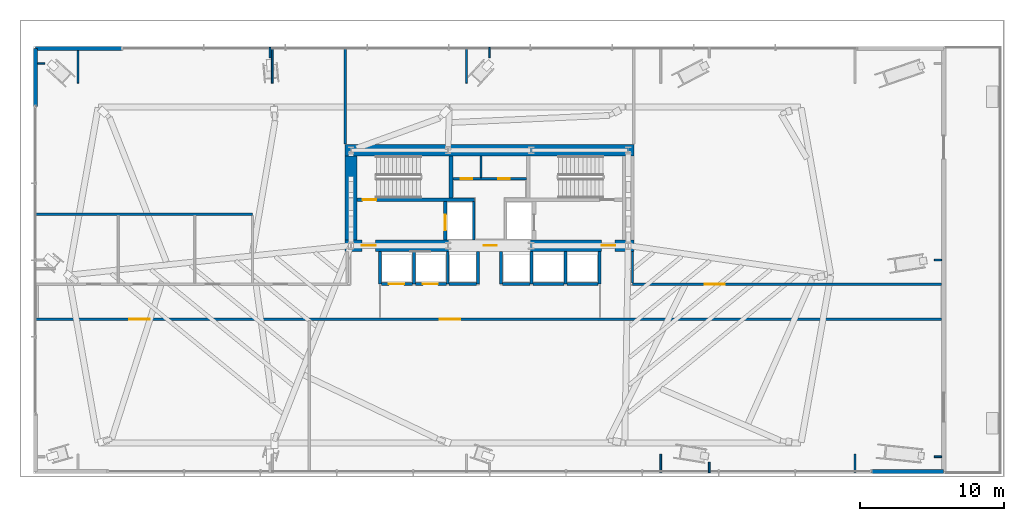
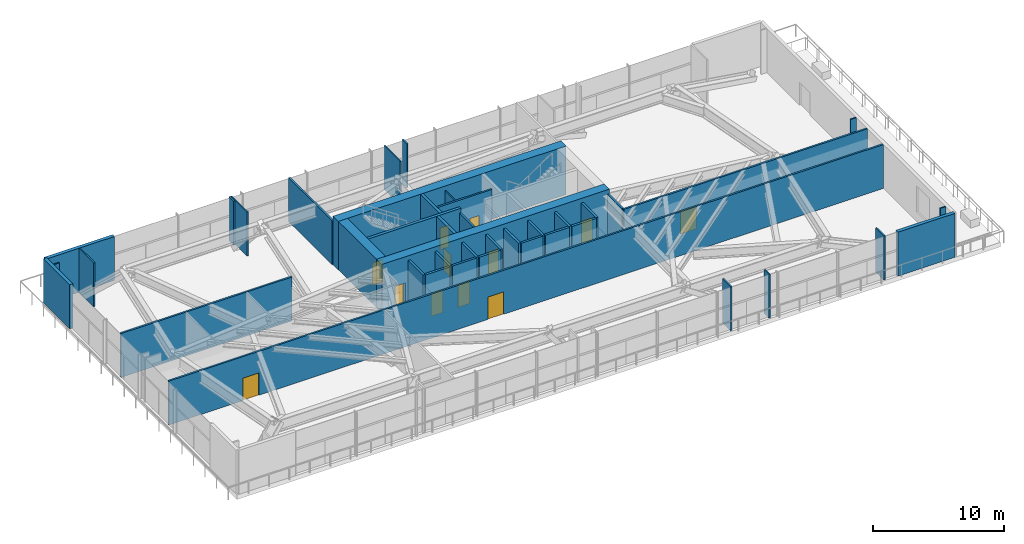
# One storey, part 21 of 29: 42 walls, 12 doors, 12 openings.
"""IFC4 building model written with IfcOpenShell, lengths in metres."""

from ifc_helpers import new_model, si_unit, direction, frame, frame_2d, origin, place, context, subcontext, project, spatial, rectangle, extrude, source, transform, mapped, material, layer, layer_set, type_object, type_shapes, element, fill, save


model = new_model("IFC4")

# Units and contexts
model_context = context("Model", 3, precision=1e-05, world=origin(), true_north=direction((0.0, 1.0)))
body_context = subcontext(model_context, "Body", "Model", "MODEL_VIEW")
ifc_project = project(units=[si_unit("LENGTHUNIT", "METRE"), si_unit("AREAUNIT", "SQUARE_METRE"), si_unit("VOLUMEUNIT", "CUBIC_METRE"), si_unit("PLANEANGLEUNIT", "RADIAN"), si_unit("MASSUNIT", "GRAM", prefix="KILO")], contexts=[model_context])

# Site, building, storey
site_placement = place(None, origin())
site = spatial("IfcSite", under=ifc_project, at=site_placement, CompositionType="ELEMENT")
building_placement = place(site_placement, origin())
building = spatial("IfcBuilding", under=site, at=building_placement, Name="Astriad Promenade Condominiums", CompositionType="ELEMENT")
storey_placement = place(building_placement, frame((0.0, 0.0, 18.5)))
storey = spatial("IfcBuildingStorey", under=building, at=storey_placement, Name="L04", CompositionType="ELEMENT", Elevation=18.5)

# Wall, openings, doors
ifc_material_1 = material(Name="Concrete C80/95", Category="concrete")
ifc_layer_1 = layer(ifc_material_1, 0.800048828125)
ifc_layer_set_1 = layer_set([ifc_layer_1], Name="Concrete C80/95")
wall_type_1 = type_object("IfcWallType", Name="CW-SHEAR-800", PredefinedType="SHEAR", material=ifc_layer_set_1)
wall_1_placement = place(storey_placement, frame((26.0, 17.39990234375, 0.0), z_axis=(0.0, 0.0, 1.0), x_axis=(1.0, 0.0, 0.0)))
wall_1 = element("IfcWall", 1, at=wall_1_placement, inside=storey, type_object=wall_type_1, Name="CW-CORE-S-L04", PredefinedType="SHEAR", context=body_context, shape_type="SweptSolid", body=[
    extrude(rectangle(XDim=20.0, YDim=0.800048828125, at=frame_2d((10.0, 0.0))), origin(), (0.0, 0.0, 1.0), 4.5),
])
opening_1_placement = place(wall_1_placement, frame((1.14990234375, 0.0, 0.0)))
opening_1 = element("IfcOpeningElement", 2, at=opening_1_placement, cuts=wall_1, Name="Opening FD90-ST-095", PredefinedType="OPENING", context=body_context, shape_type="SweptSolid", body=[
    extrude(rectangle(XDim=0.949951171875, YDim=2.06005859375, at=frame_2d((0.47509765625, 1.030029296875))), frame((0.0, 0.409912109375, 0.0), z_axis=(0.0, -1.0, 0.0), x_axis=(1.0, 0.0, 0.0)), (0.0, 0.0, 1.0), 0.820068359375),
])
opening_2_placement = place(wall_1_placement, frame((9.580078125, 0.0, 0.0)))
opening_2 = element("IfcOpeningElement", 3, at=opening_2_placement, cuts=wall_1, Name="Opening FD60-CSL-090", PredefinedType="OPENING", context=body_context, shape_type="SweptSolid", body=[
    extrude(rectangle(XDim=0.89990234375, YDim=2.06005859375, at=frame_2d((0.449951171875, 1.030029296875))), frame((0.0, 0.409912109375, 0.0), z_axis=(0.0, -1.0, 0.0), x_axis=(1.0, 0.0, 0.0)), (0.0, 0.0, 1.0), 0.820068359375),
])
opening_3_placement = place(wall_1_placement, frame((17.75, 0.0, 0.0)))
opening_3 = element("IfcOpeningElement", 4, at=opening_3_placement, cuts=wall_1, Name="Opening FD90-ST-095", PredefinedType="OPENING", context=body_context, shape_type="SweptSolid", body=[
    extrude(rectangle(XDim=0.949951171875, YDim=2.06005859375, at=frame_2d((0.47509765625, 1.030029296875))), frame((0.0, 0.409912109375, 0.0), z_axis=(0.0, -1.0, 0.0), x_axis=(1.0, 0.0, 0.0)), (0.0, 0.0, 1.0), 0.820068359375),
])
ifc_material_2 = material(Name="Fire-Rated Hollow Metal Stair Door")
door_type_1 = type_object("IfcDoorType", Name="FD90-ST-095", OperationType="NOTDEFINED", PredefinedType="DOOR", material=ifc_material_2)
shared_shape_1 = source(origin(), body_context, "Body", "SweptSolid", [
    extrude(rectangle(XDim=0.949951171875, YDim=2.06005859375, at=frame_2d((0.47509765625, 1.030029296875))), frame((0.0, 0.02490234375, 0.0), z_axis=(0.0, -1.0, 0.0), x_axis=(1.0, 0.0, 0.0)), (0.0, 0.0, 1.0), 0.050048828125),
])
type_shapes(door_type_1, [shared_shape_1])
door_1_placement = place(opening_1_placement, origin())
door_1 = element("IfcDoor", 5, at=door_1_placement, inside=storey, type_object=door_type_1, Name="D-FFW-L04", OperationType="SINGLE_SWING_LEFT", OverallHeight=2.06005859375, OverallWidth=0.949951171875, PredefinedType="DOOR", context=body_context, shape_type="MappedRepresentation", body=[
    mapped(shared_shape_1, transform((0.0, 0.0, 0.0), scale=1.0)),
])
fill(opening_1, door_1)
door_2_placement = place(opening_3_placement, origin())
door_2 = element("IfcDoor", 6, at=door_2_placement, inside=storey, type_object=door_type_1, Name="D-FFE-L04", OperationType="SINGLE_SWING_RIGHT", OverallHeight=2.06005859375, OverallWidth=0.949951171875, PredefinedType="DOOR", context=body_context, shape_type="MappedRepresentation", body=[
    mapped(shared_shape_1, transform((0.0, 0.0, 0.0), scale=1.0)),
])
fill(opening_3, door_2)
ifc_material_3 = material(Name="Fire-Rated Service Lobby Door")
door_type_2 = type_object("IfcDoorType", Name="FD60-CSL-090", OperationType="NOTDEFINED", PredefinedType="DOOR", material=ifc_material_3)
shared_shape_2 = source(origin(), body_context, "Body", "SweptSolid", [
    extrude(rectangle(XDim=0.89990234375, YDim=2.06005859375, at=frame_2d((0.449951171875, 1.030029296875))), frame((0.0, 0.02490234375, 0.0), z_axis=(0.0, -1.0, 0.0), x_axis=(1.0, 0.0, 0.0)), (0.0, 0.0, 1.0), 0.050048828125),
])
type_shapes(door_type_2, [shared_shape_2])
door_3_placement = place(opening_2_placement, origin())
door_3 = element("IfcDoor", 7, at=door_3_placement, inside=storey, type_object=door_type_2, Name="D-CSL-L04", OperationType="SINGLE_SWING_RIGHT", OverallHeight=2.06005859375, OverallWidth=0.89990234375, PredefinedType="DOOR", context=body_context, shape_type="MappedRepresentation", body=[
    mapped(shared_shape_2, transform((0.0, 0.0, 0.0), scale=1.0)),
])
fill(opening_2, door_3)

# Walls
wall_2_placement = place(storey_placement, frame((26.0, 24.0, 0.0), z_axis=(0.0, 0.0, 1.0), x_axis=(1.0, 0.0, 0.0)))
element("IfcWall", 8, at=wall_2_placement, inside=storey, type_object=wall_type_1, Name="CW-CORE-N-L04", PredefinedType="SHEAR", context=body_context, shape_type="SweptSolid", body=[
    extrude(rectangle(XDim=20.0, YDim=0.800048828125, at=frame_2d((10.0, 0.0))), origin(), (0.0, 0.0, 1.0), 4.5),
])
wall_3_placement = place(storey_placement, frame((26.39990234375, 17.802001953125, 0.0), z_axis=(0.0, 0.0, 1.0), x_axis=(0.0, 1.0, 0.0)))
element("IfcWall", 9, at=wall_3_placement, inside=storey, type_object=wall_type_1, Name="CW-CORE-W-L04", PredefinedType="SHEAR", context=body_context, shape_type="SweptSolid", body=[
    extrude(rectangle(XDim=5.7958984375, YDim=0.800048828125, at=frame_2d((2.89794921875, 0.0))), origin(), (0.0, 0.0, 1.0), 4.5),
])

# Wall, opening, door
ifc_material_4 = material(Name="Concrete C50/60", Category="concrete")
ifc_layer_2 = layer(ifc_material_4, 0.25)
ifc_layer_set_2 = layer_set([ifc_layer_2], Name="Concrete C50/60")
wall_type_2 = type_object("IfcWallType", Name="WALL-CORE-INT-250", PredefinedType="SOLIDWALL", material=ifc_layer_set_2)
wall_4_placement = place(storey_placement, frame((26.802001953125, 20.574951171875, 0.0), z_axis=(0.0, 0.0, 1.0), x_axis=(1.0, 0.0, 0.0)))
wall_4 = element("IfcWall", 10, at=wall_4_placement, inside=storey, type_object=wall_type_2, Name="CW-INT-H1-L04", PredefinedType="SOLIDWALL", context=body_context, shape_type="SweptSolid", body=[
    extrude(rectangle(XDim=8.14794921875, YDim=0.25, at=frame_2d((4.073974609375, 0.0))), origin(), (0.0, 0.0, 1.0), 4.5),
])
opening_4_placement = place(wall_4_placement, frame((0.39794921875, 0.0, 0.0)))
opening_4 = element("IfcOpeningElement", 11, at=opening_4_placement, cuts=wall_4, Name="Opening FD90-ST-095", PredefinedType="OPENING", context=body_context, shape_type="SweptSolid", body=[
    extrude(rectangle(XDim=0.949951171875, YDim=2.06005859375, at=frame_2d((0.47509765625, 1.030029296875))), frame((0.0, 0.135009765625, 0.0), z_axis=(0.0, -1.0, 0.0), x_axis=(1.0, 0.0, 0.0)), (0.0, 0.0, 1.0), 0.27001953125),
])
door_4_placement = place(opening_4_placement, origin())
door_4 = element("IfcDoor", 12, at=door_4_placement, inside=storey, type_object=door_type_1, Name="D-ST1-L04", OperationType="SINGLE_SWING_LEFT", OverallHeight=2.06005859375, OverallWidth=0.949951171875, PredefinedType="DOOR", context=body_context, shape_type="MappedRepresentation", body=[
    mapped(shared_shape_1, transform((0.0, 0.0, 0.0), scale=1.0)),
])
fill(opening_4, door_4)

# Wall
wall_5_placement = place(storey_placement, frame((33.324951171875, 20.701904296875, 0.0), z_axis=(0.0, 0.0, 1.0), x_axis=(0.0, 1.0, 0.0)))
element("IfcWall", 13, at=wall_5_placement, inside=storey, type_object=wall_type_2, Name="CW-ST1-E-L04", PredefinedType="SOLIDWALL", context=body_context, shape_type="SweptSolid", body=[
    extrude(rectangle(XDim=2.89599609375, YDim=0.25, at=frame_2d((1.447998046875, 0.0))), origin(), (0.0, 0.0, 1.0), 4.5),
])

# Wall, opening, door
wall_6_placement = place(storey_placement, frame((32.925048828125, 17.802001953125, 0.0), z_axis=(0.0, 0.0, 1.0), x_axis=(0.0, 1.0, 0.0)))
wall_6 = element("IfcWall", 14, at=wall_6_placement, inside=storey, type_object=wall_type_2, Name="CW-FFL1-W-L04", PredefinedType="SOLIDWALL", context=body_context, shape_type="SweptSolid", body=[
    extrude(rectangle(XDim=2.64599609375, YDim=0.25, at=frame_2d((1.322998046875, 0.0))), origin(), (0.0, 0.0, 1.0), 4.5),
])
opening_5_placement = place(wall_6_placement, frame((0.64794921875, 0.0, 0.0)))
opening_5 = element("IfcOpeningElement", 15, at=opening_5_placement, cuts=wall_6, Name="Opening LD-FFL-1122", PredefinedType="OPENING", context=body_context, shape_type="SweptSolid", body=[
    extrude(rectangle(XDim=1.10009765625, YDim=2.080078125, at=frame_2d((0.550048828125, 1.0400390625))), frame((0.0, 0.135009765625, 0.0), z_axis=(0.0, -1.0, 0.0), x_axis=(1.0, 0.0, 0.0)), (0.0, 0.0, 1.0), 0.27001953125),
])
ifc_material_5 = material(Name="Brushed Stainless Steel Fire Elevator Landing Door", Category="steel")
door_type_3 = type_object("IfcDoorType", Name="LD-FFL-1122", OperationType="NOTDEFINED", PredefinedType="DOOR", material=ifc_material_5)
shared_shape_3 = source(origin(), body_context, "Body", "SweptSolid", [
    extrude(rectangle(XDim=1.10009765625, YDim=2.080078125, at=frame_2d((0.550048828125, 1.0400390625))), frame((0.0, 0.02490234375, 0.0), z_axis=(0.0, -1.0, 0.0), x_axis=(1.0, 0.0, 0.0)), (0.0, 0.0, 1.0), 0.050048828125),
])
type_shapes(door_type_3, [shared_shape_3])
door_5_placement = place(opening_5_placement, origin())
door_5 = element("IfcDoor", 16, at=door_5_placement, inside=storey, type_object=door_type_3, Name="Elevator Landing Door FFL-1 (L04)", OperationType="SLIDING_TO_LEFT", OverallHeight=2.080078125, OverallWidth=1.10009765625, PredefinedType="DOOR", context=body_context, shape_type="MappedRepresentation", body=[
    mapped(shared_shape_3, transform((0.0, 0.0, 0.0), scale=1.0)),
])
fill(opening_5, door_5)

# Wall
ifc_material_6 = material(Name="Fire-Rated Gypsum Partition")
ifc_layer_3 = layer(ifc_material_6, 0.159912109375)
ifc_layer_set_3 = layer_set([ifc_layer_3], Name="Fire-Rated Gypsum Partition")
wall_type_3 = type_object("IfcWallType", Name="WALL-CORR-160", PredefinedType="PARTITIONING", material=ifc_layer_set_3)
wall_7_placement = place(storey_placement, frame((34.89990234375, 17.802001953125, 0.0), z_axis=(0.0, 0.0, 1.0), x_axis=(0.0, 1.0, 0.0)))
element("IfcWall", 17, at=wall_7_placement, inside=storey, type_object=wall_type_3, Name="CW-FFL1-E-L04", PredefinedType="PARTITIONING", context=body_context, shape_type="SweptSolid", body=[
    extrude(rectangle(XDim=2.64599609375, YDim=0.159912109375, at=frame_2d((1.322998046875, 0.0))), origin(), (0.0, 0.0, 1.0), 4.080078125),
])

# Wall, openings, doors
wall_8_placement = place(storey_placement, frame((33.451904296875, 22.030029296875, 0.0), z_axis=(0.0, 0.0, 1.0), x_axis=(1.0, 0.0, 0.0)))
wall_8 = element("IfcWall", 18, at=wall_8_placement, inside=storey, type_object=wall_type_3, Name="CW-AUX-N-L04", PredefinedType="PARTITIONING", context=body_context, shape_type="SweptSolid", body=[
    extrude(rectangle(XDim=5.09619140625, YDim=0.159912109375, at=frame_2d((2.548095703125, 0.0))), origin(), (0.0, 0.0, 1.0), 4.080078125),
])
opening_6_placement = place(wall_8_placement, frame((0.5380859375, 0.0, 0.0)))
opening_6 = element("IfcOpeningElement", 19, at=opening_6_placement, cuts=wall_8, Name="Opening FD60-SV-080", PredefinedType="OPENING", context=body_context, shape_type="SweptSolid", body=[
    extrude(rectangle(XDim=0.800048828125, YDim=2.050048828125, at=frame_2d((0.39990234375, 1.02490234375))), frame((0.0, 0.08984375, 0.0), z_axis=(0.0, -1.0, 0.0), x_axis=(1.0, 0.0, 0.0)), (0.0, 0.0, 1.0), 0.179931640625),
])
opening_7_placement = place(wall_8_placement, frame((3.157958984375, 0.0, 0.0)))
opening_7 = element("IfcOpeningElement", 20, at=opening_7_placement, cuts=wall_8, Name="Opening FD60-SV-080", PredefinedType="OPENING", context=body_context, shape_type="SweptSolid", body=[
    extrude(rectangle(XDim=0.800048828125, YDim=2.050048828125, at=frame_2d((0.39990234375, 1.02490234375))), frame((0.0, 0.08984375, 0.0), z_axis=(0.0, -1.0, 0.0), x_axis=(1.0, 0.0, 0.0)), (0.0, 0.0, 1.0), 0.179931640625),
])
ifc_material_7 = material(Name="Fire-Rated Riser Closet Door")
door_type_4 = type_object("IfcDoorType", Name="FD60-SV-080", OperationType="NOTDEFINED", PredefinedType="DOOR", material=ifc_material_7)
shared_shape_4 = source(origin(), body_context, "Body", "SweptSolid", [
    extrude(rectangle(XDim=0.800048828125, YDim=2.050048828125, at=frame_2d((0.39990234375, 1.02490234375))), frame((0.0, 0.02490234375, 0.0), z_axis=(0.0, -1.0, 0.0), x_axis=(1.0, 0.0, 0.0)), (0.0, 0.0, 1.0), 0.050048828125),
])
type_shapes(door_type_4, [shared_shape_4])
door_6_placement = place(opening_6_placement, origin())
door_6 = element("IfcDoor", 21, at=door_6_placement, inside=storey, type_object=door_type_4, Name="D-AUX1-L04", OperationType="SINGLE_SWING_LEFT", OverallHeight=2.050048828125, OverallWidth=0.800048828125, PredefinedType="DOOR", context=body_context, shape_type="MappedRepresentation", body=[
    mapped(shared_shape_4, transform((0.0, 0.0, 0.0), scale=1.0)),
])
fill(opening_6, door_6)
door_7_placement = place(opening_7_placement, origin())
door_7 = element("IfcDoor", 22, at=door_7_placement, inside=storey, type_object=door_type_4, Name="D-AUX2-L04", OperationType="SINGLE_SWING_RIGHT", OverallHeight=2.050048828125, OverallWidth=0.800048828125, PredefinedType="DOOR", context=body_context, shape_type="MappedRepresentation", body=[
    mapped(shared_shape_4, transform((0.0, 0.0, 0.0), scale=1.0)),
])
fill(opening_7, door_7)

wall_9_placement = place(storey_placement, frame((4.550048828125, 12.300048828125, 0.0), z_axis=(0.0, 0.0, 1.0), x_axis=(1.0, 0.0, 0.0)))
wall_9 = element("IfcWall", 23, at=wall_9_placement, inside=storey, type_object=wall_type_3, Name="PT-L04-CS", PredefinedType="PARTITIONING", context=body_context, shape_type="SweptSolid", body=[
    extrude(rectangle(XDim=62.748046875, YDim=0.159912109375, at=frame_2d((31.3740234375, 0.0))), origin(), (0.0, 0.0, 1.0), 4.080078125),
])
opening_8_placement = place(wall_9_placement, frame((6.5, 0.0, 0.0)))
opening_8 = element("IfcOpeningElement", 24, at=opening_8_placement, cuts=wall_9, Name="Opening FD60-SAL-1422", PredefinedType="OPENING", context=body_context, shape_type="SweptSolid", body=[
    extrude(rectangle(XDim=1.39990234375, YDim=2.080078125, at=frame_2d((0.699951171875, 1.0400390625))), frame((0.0, 0.08984375, 0.0), z_axis=(0.0, -1.0, 0.0), x_axis=(1.0, 0.0, 0.0)), (0.0, 0.0, 1.0), 0.179931640625),
])
opening_9_placement = place(wall_9_placement, frame((28.0, 0.0, 0.0)))
opening_9 = element("IfcOpeningElement", 25, at=opening_9_placement, cuts=wall_9, Name="Opening FD60-SAL-1422", PredefinedType="OPENING", context=body_context, shape_type="SweptSolid", body=[
    extrude(rectangle(XDim=1.39990234375, YDim=2.080078125, at=frame_2d((0.699951171875, 1.0400390625))), frame((0.0, 0.08984375, 0.0), z_axis=(0.0, -1.0, 0.0), x_axis=(1.0, 0.0, 0.0)), (0.0, 0.0, 1.0), 0.179931640625),
])
ifc_material_8 = material(Name="Glazed Timber Double Salon Door", Category="wood")
door_type_5 = type_object("IfcDoorType", Name="FD60-SAL-1422", OperationType="NOTDEFINED", PredefinedType="DOOR", material=ifc_material_8)
shared_shape_5 = source(origin(), body_context, "Body", "SweptSolid", [
    extrude(rectangle(XDim=1.39990234375, YDim=2.080078125, at=frame_2d((0.699951171875, 1.0400390625))), frame((0.0, 0.02490234375, 0.0), z_axis=(0.0, -1.0, 0.0), x_axis=(1.0, 0.0, 0.0)), (0.0, 0.0, 1.0), 0.050048828125),
])
type_shapes(door_type_5, [shared_shape_5])
door_8_placement = place(opening_8_placement, origin())
door_8 = element("IfcDoor", 26, at=door_8_placement, inside=storey, type_object=door_type_5, Name="D-L04-R1", OperationType="DOUBLE_DOOR_SINGLE_SWING", OverallHeight=2.080078125, OverallWidth=1.39990234375, PredefinedType="DOOR", context=body_context, shape_type="MappedRepresentation", body=[
    mapped(shared_shape_5, transform((0.0, 0.0, 0.0), scale=1.0)),
])
fill(opening_8, door_8)
door_9_placement = place(opening_9_placement, origin())
door_9 = element("IfcDoor", 27, at=door_9_placement, inside=storey, type_object=door_type_5, Name="D-L04-R2", OperationType="DOUBLE_DOOR_SINGLE_SWING", OverallHeight=2.080078125, OverallWidth=1.39990234375, PredefinedType="DOOR", context=body_context, shape_type="MappedRepresentation", body=[
    mapped(shared_shape_5, transform((0.0, 0.0, 0.0), scale=1.0)),
])
fill(opening_9, door_9)

# Wall, opening, door
wall_10_placement = place(storey_placement, frame((45.89990234375, 14.719970703125, 0.0), z_axis=(0.0, 0.0, 1.0), x_axis=(1.0, 0.0, 0.0)))
wall_10 = element("IfcWall", 28, at=wall_10_placement, inside=storey, type_object=wall_type_3, Name="PT-L04-CNE", PredefinedType="PARTITIONING", context=body_context, shape_type="SweptSolid", body=[
    extrude(rectangle(XDim=21.398193359375, YDim=0.159912109375, at=frame_2d((10.69921875, 0.0))), origin(), (0.0, 0.0, 1.0), 4.080078125),
])
opening_10_placement = place(wall_10_placement, frame((5.0, 0.0, 0.0)))
opening_10 = element("IfcOpeningElement", 29, at=opening_10_placement, cuts=wall_10, Name="Opening FD60-SAL-1422", PredefinedType="OPENING", context=body_context, shape_type="SweptSolid", body=[
    extrude(rectangle(XDim=1.39990234375, YDim=2.080078125, at=frame_2d((0.699951171875, 1.0400390625))), frame((0.0, 0.08984375, 0.0), z_axis=(0.0, -1.0, 0.0), x_axis=(1.0, 0.0, 0.0)), (0.0, 0.0, 1.0), 0.179931640625),
])
door_10_placement = place(opening_10_placement, origin())
door_10 = element("IfcDoor", 30, at=door_10_placement, inside=storey, type_object=door_type_5, Name="D-L04-R3", OperationType="DOUBLE_DOOR_SINGLE_SWING", OverallHeight=2.080078125, OverallWidth=1.39990234375, PredefinedType="DOOR", context=body_context, shape_type="MappedRepresentation", body=[
    mapped(shared_shape_5, transform((0.0, 0.0, 0.0), scale=1.0)),
])
fill(opening_10, door_10)

# Walls
wall_11_placement = place(storey_placement, frame((4.550048828125, 19.580078125, 0.0), z_axis=(0.0, 0.0, 1.0), x_axis=(1.0, 0.0, 0.0)))
element("IfcWall", 31, at=wall_11_placement, inside=storey, type_object=wall_type_3, Name="PT-L04-WCN", PredefinedType="PARTITIONING", context=body_context, shape_type="SweptSolid", body=[
    extrude(rectangle(XDim=15.030029296875, YDim=0.159912109375, at=frame_2d((7.51513671875, 0.0))), origin(), (0.0, 0.0, 1.0), 4.080078125),
])
wall_12_placement = place(storey_placement, frame((26.0, 24.419921875, 0.0), z_axis=(0.0, 0.0, 1.0), x_axis=(0.0, 1.0, 0.0)))
element("IfcWall", 32, at=wall_12_placement, inside=storey, type_object=wall_type_3, Name="PT-L04-WSW", PredefinedType="PARTITIONING", context=body_context, shape_type="SweptSolid", body=[
    extrude(rectangle(XDim=6.630126953125, YDim=0.159912109375, at=frame_2d((3.31494140625, 0.0))), origin(), (0.0, 0.0, 1.0), 4.080078125),
])
wall_13_placement = place(storey_placement, frame((45.89990234375, 14.802001953125, 0.0), z_axis=(0.0, 0.0, 1.0), x_axis=(0.0, 1.0, 0.0)))
element("IfcWall", 33, at=wall_13_placement, inside=storey, type_object=wall_type_3, Name="PT-L04-CESP", PredefinedType="PARTITIONING", context=body_context, shape_type="SweptSolid", body=[
    extrude(rectangle(XDim=2.196044921875, YDim=0.159912109375, at=frame_2d((1.09814453125, 0.0))), origin(), (0.0, 0.0, 1.0), 4.080078125),
])
ifc_material_9 = material(Name="Precast concrete C50/60", Category="concrete")
ifc_layer_4 = layer(ifc_material_9, 0.300048828125)
ifc_layer_set_4 = layer_set([ifc_layer_4], Name="Precast concrete C50/60")
wall_type_4 = type_object("IfcWallType", Name="WALL-EXT-POD-300", PredefinedType="STANDARD", material=ifc_layer_set_4)
wall_14_placement = place(storey_placement, frame((4.550048828125, 27.050048828125, 0.0), z_axis=(0.0, 0.0, 1.0), x_axis=(0.0, 1.0, 0.0)))
element("IfcWall", 34, at=wall_14_placement, inside=storey, type_object=wall_type_4, Name="W-EXT-L04-W2", PredefinedType="STANDARD", context=body_context, shape_type="SweptSolid", body=[
    extrude(rectangle(XDim=4.0, YDim=0.300048828125, at=frame_2d((2.0, 0.0))), origin(), (0.0, 0.0, 1.0), 4.080078125),
])
wall_15_placement = place(storey_placement, frame((4.550048828125, 31.050048828125, 0.0), z_axis=(0.0, 0.0, 1.0), x_axis=(1.0, 0.0, 0.0)))
element("IfcWall", 35, at=wall_15_placement, inside=storey, type_object=wall_type_4, Name="W-EXT-L04-N1", PredefinedType="STANDARD", context=body_context, shape_type="SweptSolid", body=[
    extrude(rectangle(XDim=6.0, YDim=0.300048828125, at=frame_2d((3.0, 0.0))), origin(), (0.0, 0.0, 1.0), 4.080078125),
])
wall_16_placement = place(storey_placement, frame((67.449951171875, 1.75, 0.0), z_axis=(0.0, 0.0, 1.0), x_axis=(-1.0, 0.0, 0.0)))
element("IfcWall", 36, at=wall_16_placement, inside=storey, type_object=wall_type_4, Name="W-EXT-L04-S1", PredefinedType="STANDARD", context=body_context, shape_type="SweptSolid", body=[
    extrude(rectangle(XDim=5.0, YDim=0.300048828125, at=frame_2d((2.5, 0.0))), origin(), (0.0, 0.0, 1.0), 4.080078125),
])
ifc_material_10 = material(Name="Acoustic Metal-Stud Gypsum Partition")
ifc_layer_5 = layer(ifc_material_10, 0.1201171875)
ifc_layer_set_5 = layer_set([ifc_layer_5], Name="Acoustic Metal-Stud Gypsum Partition")
wall_type_5 = type_object("IfcWallType", Name="WALL-PART-120", PredefinedType="PARTITIONING", material=ifc_layer_set_5)
wall_17_placement = place(storey_placement, frame((35.39990234375, 22.112060546875, 0.0), z_axis=(0.0, 0.0, 1.0), x_axis=(0.0, 1.0, 0.0)))
element("IfcWall", 37, at=wall_17_placement, inside=storey, type_object=wall_type_5, Name="CW-AUX-V1-L04", PredefinedType="PARTITIONING", context=body_context, shape_type="SweptSolid", body=[
    extrude(rectangle(XDim=1.48583984375, YDim=0.1201171875, at=frame_2d((0.742919921875, 0.0))), origin(), (0.0, 0.0, 1.0), 4.080078125),
])
for number, where, z_axis, x_axis, name in (
    (38, (47.85498046875, 2.949951171875, 0.0), (0.0, 0.0, 1.0), (0.0, -1.0, 0.0), "PT-PIL-L04-PC04-11"),
    (39, (61.31005859375, 2.949951171875, 0.0), (0.0, 0.0, 1.0), (0.0, -1.0, 0.0), "PT-PIL-L04-PC05-12"),
):
    element("IfcWall", number, at=place(storey_placement, frame(where, z_axis=z_axis, x_axis=x_axis)), inside=storey, type_object=wall_type_5, Name=name, PredefinedType="PARTITIONING", context=body_context, shape_type="SweptSolid", body=[
        extrude(rectangle(XDim=1.27001953125, YDim=0.1201171875, at=frame_2d((0.635009765625, 0.0))), origin(), (0.0, 0.0, 1.0), 4.080078125),
    ])
wall_18_placement = place(storey_placement, frame((7.489990234375, 28.64990234375, 0.0), z_axis=(0.0, 0.0, 1.0), x_axis=(0.0, 1.0, 0.0)))
element("IfcWall", 40, at=wall_18_placement, inside=storey, type_object=wall_type_5, Name="PT-PIL-L04-PC06-13", PredefinedType="PARTITIONING", context=body_context, shape_type="SweptSolid", body=[
    extrude(rectangle(XDim=2.248046875, YDim=0.1201171875, at=frame_2d((1.1240234375, 0.0))), origin(), (0.0, 0.0, 1.0), 4.080078125),
])
for number, where, z_axis, x_axis, name in (
    (41, (20.945068359375, 28.64990234375, 0.0), (0.0, 0.0, 1.0), (0.0, 1.0, 0.0), "PT-PIL-L04-PC07-14"),
    (42, (34.39990234375, 28.64990234375, 0.0), (0.0, 0.0, 1.0), (0.0, 1.0, 0.0), "PT-PIL-L04-PC08-15"),
):
    element("IfcWall", number, at=place(storey_placement, frame(where, z_axis=z_axis, x_axis=x_axis)), inside=storey, type_object=wall_type_5, Name=name, PredefinedType="PARTITIONING", context=body_context, shape_type="SweptSolid", body=[
        extrude(rectangle(XDim=2.47021484375, YDim=0.1201171875, at=frame_2d((1.235107421875, 0.0))), origin(), (0.0, 0.0, 1.0), 4.080078125),
    ])
wall_19_placement = place(storey_placement, frame((51.2099609375, 2.39990234375, 0.0), z_axis=(0.0, 0.0, 1.0), x_axis=(0.0, -1.0, 0.0)))
element("IfcWall", 43, at=wall_19_placement, inside=storey, type_object=wall_type_5, Name="PT-PIL-L04-PC04-23", PredefinedType="PARTITIONING", context=body_context, shape_type="SweptSolid", body=[
    extrude(rectangle(XDim=0.719970703125, YDim=0.1201171875, at=frame_2d((0.35986328125, 0.0))), origin(), (0.0, 0.0, 1.0), 4.080078125),
])
for number, where, z_axis, x_axis, name in (
    (44, (66.800048828125, 2.780029296875, 0.0), (0.0, 0.0, 1.0), (1.0, 0.0, 0.0), "PT-PIL-L04-PC05-24"),
    (45, (5.199951171875, 30.02001953125, 0.0), (0.0, 0.0, 1.0), (-1.0, 0.0, 0.0), "PT-PIL-L04-PC06-25"),
):
    element("IfcWall", number, at=place(storey_placement, frame(where, z_axis=z_axis, x_axis=x_axis)), inside=storey, type_object=wall_type_5, Name=name, PredefinedType="PARTITIONING", context=body_context, shape_type="SweptSolid", body=[
        extrude(rectangle(XDim=0.498046875, YDim=0.1201171875, at=frame_2d((0.2490234375, 0.0))), origin(), (0.0, 0.0, 1.0), 4.080078125),
    ])
for number, where, z_axis, x_axis, name in (
    (46, (20.7900390625, 30.39990234375, 0.0), (0.0, 0.0, 1.0), (0.0, 1.0, 0.0), "PT-PIL-L04-PC07-26"),
    (47, (36.0, 30.39990234375, 0.0), (0.0, 0.0, 1.0), (0.0, 1.0, 0.0), "PT-PIL-L04-PC08-27"),
):
    element("IfcWall", number, at=place(storey_placement, frame(where, z_axis=z_axis, x_axis=x_axis)), inside=storey, type_object=wall_type_5, Name=name, PredefinedType="PARTITIONING", context=body_context, shape_type="SweptSolid", body=[
        extrude(rectangle(XDim=0.72021484375, YDim=0.1201171875, at=frame_2d((0.360107421875, 0.0))), origin(), (0.0, 0.0, 1.0), 4.080078125),
    ])
wall_20_placement = place(storey_placement, frame((66.800048828125, 16.39990234375, 0.0), z_axis=(0.0, 0.0, 1.0), x_axis=(1.0, 0.0, 0.0)))
element("IfcWall", 48, at=wall_20_placement, inside=storey, type_object=wall_type_5, Name="PT-PIL-L04-PC12-31", PredefinedType="PARTITIONING", context=body_context, shape_type="SweptSolid", body=[
    extrude(rectangle(XDim=0.498046875, YDim=0.1201171875, at=frame_2d((0.2490234375, 0.0))), origin(), (0.0, 0.0, 1.0), 4.080078125),
])
ifc_material_11 = material(Name="Gypsum Shaftliner Assembly")
ifc_layer_6 = layer(ifc_material_11, 0.199951171875)
ifc_layer_set_6 = layer_set([ifc_layer_6], Name="Gypsum Shaftliner Assembly")
wall_type_6 = type_object("IfcWallType", Name="WALL-SHAFT-200", PredefinedType="PARTITIONING", material=ifc_layer_set_6)
for number, where, z_axis, x_axis, name in (
    (49, (28.39990234375, 14.75, 0.0), (0.0, 0.0, 1.0), (0.0, 1.0, 0.0), "PL-W-OUT-L04"),
    (50, (30.75, 14.75, 0.0), (0.0, 0.0, 1.0), (0.0, 1.0, 0.0), "PL-L-DIV-L04"),
    (51, (33.10009765625, 14.75, 0.0), (0.0, 0.0, 1.0), (0.0, 1.0, 0.0), "PL-LM-DIV-L04"),
):
    element("IfcWall", number, at=place(storey_placement, frame(where, z_axis=z_axis, x_axis=x_axis)), inside=storey, type_object=wall_type_6, Name=name, PredefinedType="PARTITIONING", context=body_context, shape_type="SweptSolid", body=[
        extrude(rectangle(XDim=2.248046875, YDim=0.199951171875, at=frame_2d((1.1240234375, 0.0))), origin(), (0.0, 0.0, 1.0), 4.080078125),
    ])

# Wall, opening, door
wall_21_placement = place(storey_placement, frame((28.501953125, 14.75, 0.0), z_axis=(0.0, 0.0, 1.0), x_axis=(1.0, 0.0, 0.0)))
wall_21 = element("IfcWall", 52, at=wall_21_placement, inside=storey, type_object=wall_type_6, Name="PL-L-FRT-L04", PredefinedType="PARTITIONING", context=body_context, shape_type="SweptSolid", body=[
    extrude(rectangle(XDim=2.14599609375, YDim=0.199951171875, at=frame_2d((1.072998046875, 0.0))), origin(), (0.0, 0.0, 1.0), 4.080078125),
])
opening_11_placement = place(wall_21_placement, frame((0.52294921875, 0.0, 0.0)))
opening_11 = element("IfcOpeningElement", 53, at=opening_11_placement, cuts=wall_21, Name="Opening LD-PL-10522", PredefinedType="OPENING", context=body_context, shape_type="SweptSolid", body=[
    extrude(rectangle(XDim=1.050048828125, YDim=2.080078125, at=frame_2d((0.52490234375, 1.0400390625))), frame((0.0, 0.10986328125, 0.0), z_axis=(0.0, -1.0, 0.0), x_axis=(1.0, 0.0, 0.0)), (0.0, 0.0, 1.0), 0.219970703125),
])
ifc_material_12 = material(Name="Brushed Bronze Passenger Elevator Landing Door")
door_type_6 = type_object("IfcDoorType", Name="LD-PL-10522", OperationType="NOTDEFINED", PredefinedType="DOOR", material=ifc_material_12)
shared_shape_6 = source(origin(), body_context, "Body", "SweptSolid", [
    extrude(rectangle(XDim=1.050048828125, YDim=2.080078125, at=frame_2d((0.52490234375, 1.0400390625))), frame((0.0, 0.02490234375, 0.0), z_axis=(0.0, -1.0, 0.0), x_axis=(1.0, 0.0, 0.0)), (0.0, 0.0, 1.0), 0.050048828125),
])
type_shapes(door_type_6, [shared_shape_6])
door_11_placement = place(opening_11_placement, origin())
door_11 = element("IfcDoor", 54, at=door_11_placement, inside=storey, type_object=door_type_6, Name="Elevator Landing Door PL-L1 (L04)", OperationType="SLIDING_TO_LEFT", OverallHeight=2.080078125, OverallWidth=1.050048828125, PredefinedType="DOOR", context=body_context, shape_type="MappedRepresentation", body=[
    mapped(shared_shape_6, transform((0.0, 0.0, 0.0), scale=1.0)),
])
fill(opening_11, door_11)

wall_22_placement = place(storey_placement, frame((30.85205078125, 14.75, 0.0), z_axis=(0.0, 0.0, 1.0), x_axis=(1.0, 0.0, 0.0)))
wall_22 = element("IfcWall", 55, at=wall_22_placement, inside=storey, type_object=wall_type_6, Name="PL-L-FRT-L04-S2", PredefinedType="PARTITIONING", context=body_context, shape_type="SweptSolid", body=[
    extrude(rectangle(XDim=2.14599609375, YDim=0.199951171875, at=frame_2d((1.072998046875, 0.0))), origin(), (0.0, 0.0, 1.0), 4.080078125),
])
opening_12_placement = place(wall_22_placement, frame((0.52294921875, 0.0, 0.0)))
opening_12 = element("IfcOpeningElement", 56, at=opening_12_placement, cuts=wall_22, Name="Opening LD-PL-10522", PredefinedType="OPENING", context=body_context, shape_type="SweptSolid", body=[
    extrude(rectangle(XDim=1.050048828125, YDim=2.080078125, at=frame_2d((0.52490234375, 1.0400390625))), frame((0.0, 0.10986328125, 0.0), z_axis=(0.0, -1.0, 0.0), x_axis=(1.0, 0.0, 0.0)), (0.0, 0.0, 1.0), 0.219970703125),
])
door_12_placement = place(opening_12_placement, origin())
door_12 = element("IfcDoor", 57, at=door_12_placement, inside=storey, type_object=door_type_6, Name="Elevator Landing Door PL-L2 (L04)", OperationType="SLIDING_TO_RIGHT", OverallHeight=2.080078125, OverallWidth=1.050048828125, PredefinedType="DOOR", context=body_context, shape_type="MappedRepresentation", body=[
    mapped(shared_shape_6, transform((0.0, 0.0, 0.0), scale=1.0)),
])
fill(opening_12, door_12)

# Walls
wall_23_placement = place(storey_placement, frame((35.199951171875, 14.75, 0.0), z_axis=(0.0, 0.0, 1.0), x_axis=(0.0, 1.0, 0.0)))
element("IfcWall", 58, at=wall_23_placement, inside=storey, type_object=wall_type_6, Name="PL-M1-E-L04", PredefinedType="PARTITIONING", context=body_context, shape_type="SweptSolid", body=[
    extrude(rectangle(XDim=2.248046875, YDim=0.199951171875, at=frame_2d((1.1240234375, 0.0))), origin(), (0.0, 0.0, 1.0), 4.080078125),
])
wall_24_placement = place(storey_placement, frame((33.201904296875, 14.75, 0.0), z_axis=(0.0, 0.0, 1.0), x_axis=(1.0, 0.0, 0.0)))
element("IfcWall", 59, at=wall_24_placement, inside=storey, type_object=wall_type_6, Name="PL-M1-F-L04", PredefinedType="PARTITIONING", context=body_context, shape_type="SweptSolid", body=[
    extrude(rectangle(XDim=1.89599609375, YDim=0.199951171875, at=frame_2d((0.947998046875, 0.0))), origin(), (0.0, 0.0, 1.0), 4.080078125),
])
for number, where, z_axis, x_axis, name in (
    (60, (36.800048828125, 14.75, 0.0), (0.0, 0.0, 1.0), (0.0, 1.0, 0.0), "PL-M2-W-L04"),
    (61, (38.89990234375, 14.75, 0.0), (0.0, 0.0, 1.0), (0.0, 1.0, 0.0), "PL-MH-DIV-L04"),
):
    element("IfcWall", number, at=place(storey_placement, frame(where, z_axis=z_axis, x_axis=x_axis)), inside=storey, type_object=wall_type_6, Name=name, PredefinedType="PARTITIONING", context=body_context, shape_type="SweptSolid", body=[
        extrude(rectangle(XDim=2.248046875, YDim=0.199951171875, at=frame_2d((1.1240234375, 0.0))), origin(), (0.0, 0.0, 1.0), 4.080078125),
    ])
wall_25_placement = place(storey_placement, frame((36.902099609375, 14.75, 0.0), z_axis=(0.0, 0.0, 1.0), x_axis=(1.0, 0.0, 0.0)))
element("IfcWall", 62, at=wall_25_placement, inside=storey, type_object=wall_type_6, Name="PL-M2-F-L04", PredefinedType="PARTITIONING", context=body_context, shape_type="SweptSolid", body=[
    extrude(rectangle(XDim=1.89599609375, YDim=0.199951171875, at=frame_2d((0.947998046875, 0.0))), origin(), (0.0, 0.0, 1.0), 4.080078125),
])
for number, where, z_axis, x_axis, name in (
    (63, (41.25, 14.75, 0.0), (0.0, 0.0, 1.0), (0.0, 1.0, 0.0), "PL-H-DIV-L04"),
    (64, (43.60009765625, 14.75, 0.0), (0.0, 0.0, 1.0), (0.0, 1.0, 0.0), "PL-E-OUT-L04"),
):
    element("IfcWall", number, at=place(storey_placement, frame(where, z_axis=z_axis, x_axis=x_axis)), inside=storey, type_object=wall_type_6, Name=name, PredefinedType="PARTITIONING", context=body_context, shape_type="SweptSolid", body=[
        extrude(rectangle(XDim=2.248046875, YDim=0.199951171875, at=frame_2d((1.1240234375, 0.0))), origin(), (0.0, 0.0, 1.0), 4.080078125),
    ])
for number, where, z_axis, x_axis, name in (
    (65, (39.001953125, 14.75, 0.0), (0.0, 0.0, 1.0), (1.0, 0.0, 0.0), "PL-H-FRT-L04"),
    (66, (41.35205078125, 14.75, 0.0), (0.0, 0.0, 1.0), (1.0, 0.0, 0.0), "PL-H-FRT-L04-S2"),
):
    element("IfcWall", number, at=place(storey_placement, frame(where, z_axis=z_axis, x_axis=x_axis)), inside=storey, type_object=wall_type_6, Name=name, PredefinedType="PARTITIONING", context=body_context, shape_type="SweptSolid", body=[
        extrude(rectangle(XDim=2.14599609375, YDim=0.199951171875, at=frame_2d((1.072998046875, 0.0))), origin(), (0.0, 0.0, 1.0), 4.080078125),
    ])

save(model, "model.ifc")
